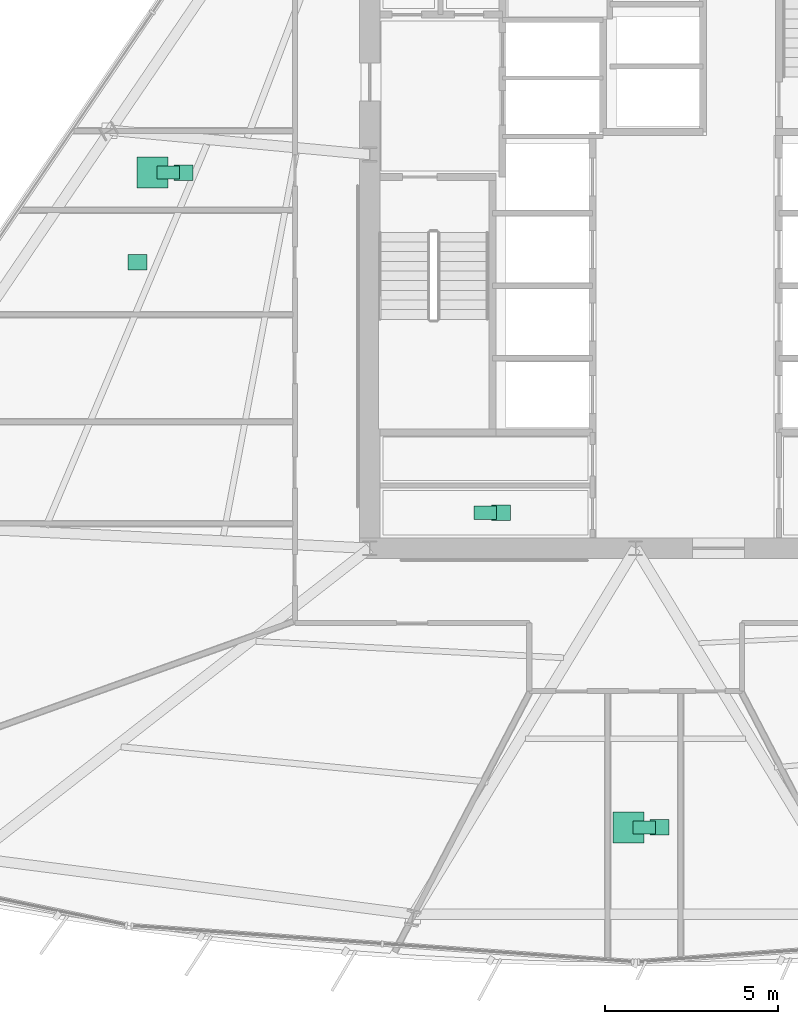
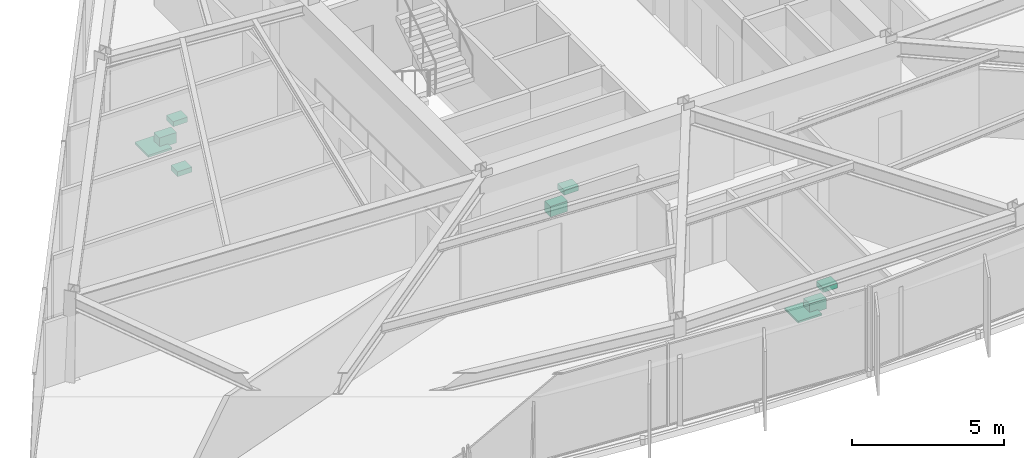
# One storey, part 15 of 15: 9 sanitary terminals.
"""IFC4 building model written with IfcOpenShell, lengths in metres."""

from ifc_helpers import new_model, si_unit, direction, frame, origin, origin_2d, place, context, subcontext, project, spatial, rectangle, extrude, material, type_object, element, save


model = new_model("IFC4")

# Units and contexts
model_context = context("Model", 3, precision=1e-05, world=origin(), true_north=direction((0.0, 1.0)))
body_context = subcontext(model_context, "Body", "Model", "MODEL_VIEW")
ifc_project = project(units=[si_unit("LENGTHUNIT", "METRE"), si_unit("AREAUNIT", "SQUARE_METRE"), si_unit("VOLUMEUNIT", "CUBIC_METRE"), si_unit("PLANEANGLEUNIT", "RADIAN"), si_unit("MASSUNIT", "GRAM", prefix="KILO")], contexts=[model_context])

# Site, building, storey
site_placement = place(None, origin())
site = spatial("IfcSite", under=ifc_project, at=site_placement, CompositionType="ELEMENT")
building_placement = place(site_placement, origin())
building = spatial("IfcBuilding", under=site, at=building_placement, Name="Savorim Split Tower", CompositionType="ELEMENT")
storey_placement = place(building_placement, frame((0.0, 0.0, 82.5)))
storey = spatial("IfcBuildingStorey", under=building, at=storey_placement, Name="L21", CompositionType="ELEMENT", Elevation=82.5)

# Sanitary terminals
ifc_material = material(Name="Vitreous China Sanitaryware")
sanitary_terminal_type_1 = type_object("IfcSanitaryTerminalType", Name="SAN-SHW-900", PredefinedType="SHOWER", material=ifc_material)
for number, where, z_axis, x_axis, name in (
    (1, (-0.206298828125, -17.479248046875, 0.0), (0.0, 0.0, 1.0), (1.0, 0.0, 0.0), "L21 Shared Bathroom Shower"),
    (2, (-13.98486328125, 1.47509765625, 0.0), (0.0, 0.0, 1.0), (1.0, 0.0, 0.0), "L21 Shared Bathroom Shower"),
):
    element("IfcSanitaryTerminal", number, at=place(storey_placement, frame(where, z_axis=z_axis, x_axis=x_axis)), inside=storey, type_object=sanitary_terminal_type_1, Name=name, PredefinedType="SHOWER", context=body_context, shape_type="SweptSolid", body=[
        extrude(rectangle(XDim=0.89990234375, YDim=0.89990234375, at=origin_2d()), origin(), (0.0, 0.0, 1.0), 0.080078125),
    ])
sanitary_terminal_type_2 = type_object("IfcSanitaryTerminalType", Name="SAN-WC-PAN", PredefinedType="TOILETPAN", material=ifc_material)
for number, where, z_axis, x_axis, name in (
    (3, (-4.35009765625, -8.3701171875, 0.0), (0.0, 0.0, 1.0), (1.0, 0.0, 0.0), "L21 Public WC WC Pan"),
    (4, (0.24365234375, -17.479248046875, 0.0), (0.0, 0.0, 1.0), (1.0, 0.0, 0.0), "L21 Shared Bathroom WC Pan"),
    (5, (-13.534912109375, 1.47509765625, 0.0), (0.0, 0.0, 1.0), (1.0, 0.0, 0.0), "L21 Shared Bathroom WC Pan"),
):
    element("IfcSanitaryTerminal", number, at=place(storey_placement, frame(where, z_axis=z_axis, x_axis=x_axis)), inside=storey, type_object=sanitary_terminal_type_2, Name=name, PredefinedType="TOILETPAN", context=body_context, shape_type="SweptSolid", body=[
        extrude(rectangle(XDim=0.64990234375, YDim=0.3798828125, at=origin_2d()), origin(), (0.0, 0.0, 1.0), 0.419921875),
    ])
sanitary_terminal_type_3 = type_object("IfcSanitaryTerminalType", Name="SAN-WHB-550", PredefinedType="WASHHANDBASIN", material=ifc_material)
for number, where, z_axis, x_axis, name in (
    (6, (-3.89990234375, -8.3701171875, 0.72021484375), (0.0, 0.0, 1.0), (1.0, 0.0, 0.0), "L21 Public WC Washhand Basin"),
    (7, (-14.418212890625, -1.12158203125, 0.75), (0.0, 0.0, 1.0), (1.0, 0.0, 0.0), "L21 Shared Kitchen Utility Sink"),
    (8, (0.693603515625, -17.479248046875, 0.72021484375), (0.0, 0.0, 1.0), (1.0, 0.0, 0.0), "L21 Shared Bathroom Washhand Basin"),
    (9, (-13.0849609375, 1.47509765625, 0.72021484375), (0.0, 0.0, 1.0), (1.0, 0.0, 0.0), "L21 Shared Bathroom Washhand Basin"),
):
    element("IfcSanitaryTerminal", number, at=place(storey_placement, frame(where, z_axis=z_axis, x_axis=x_axis)), inside=storey, type_object=sanitary_terminal_type_3, Name=name, PredefinedType="WASHHANDBASIN", context=body_context, shape_type="SweptSolid", body=[
        extrude(rectangle(XDim=0.550048828125, YDim=0.449951171875, at=origin_2d()), origin(), (0.0, 0.0, 1.0), 0.199951171875),
    ])

save(model, "model.ifc")
